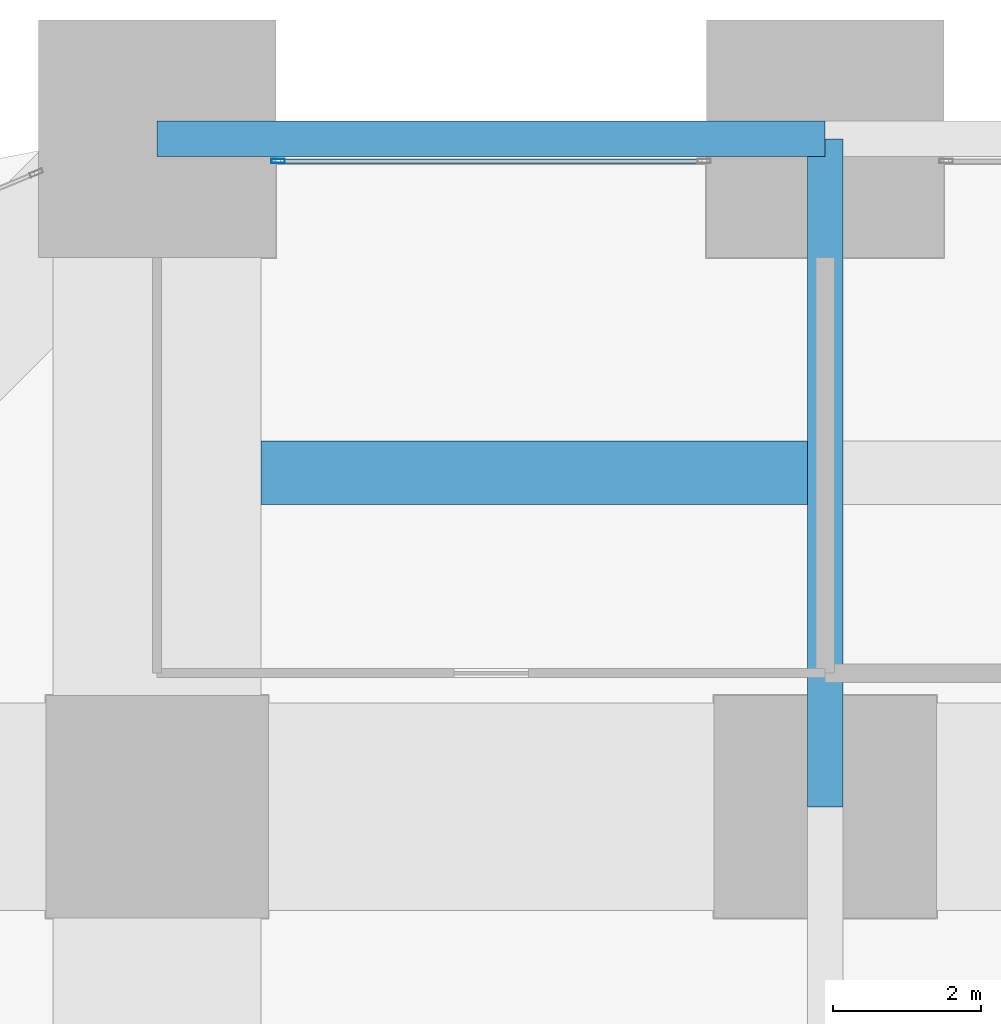
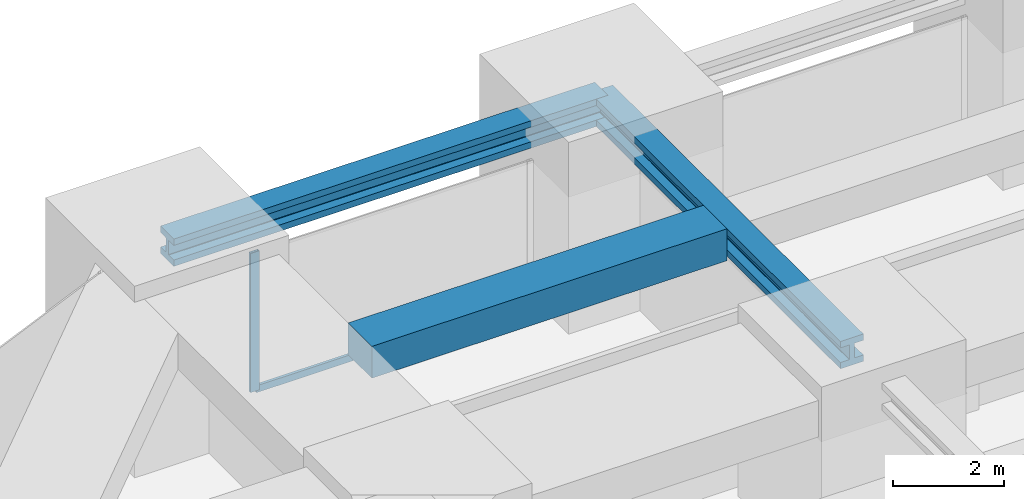
# One storey, part 27 of 42: 3 beams, 2 members, 1 element without a shape of its own.
"""IFC4 building model written with IfcOpenShell, lengths in metres."""

import ifcopenshell
import ifcopenshell.guid

model = None  # the IFC model being written
_history = None  # IfcOwnerHistory: only IFC2X3 demands one
_inside = {}  # id of a spatial element -> (the spatial element, [elements in it])
_under = {}  # id of a project, library or spatial element -> (it, [spatial elements below it])
_declared = {}  # id of a project -> (the project, [libraries it declares])
_typed = {}  # id of a type object -> (the type object, [elements of that type])
_made_of = {}  # id of a material, layer set ... -> (it, [elements and type objects made of it])


def new_model(schema):
    """Start an empty IFC model of exactly this schema.

    Asked for "IFC4X3", IfcOpenShell would pick the latest addendum, in which some entities
    have other attributes; the version numbers below select the first issue.
    IFC2X3 requires an IfcOwnerHistory on every rooted entity: one is made here for all.
    """
    global model, _history
    if schema == "IFC4X3":
        model = ifcopenshell.file(schema_version=(4, 3, 0, 0))
    else:
        model = ifcopenshell.file(schema=schema)
    _inside.clear()
    _under.clear()
    _declared.clear()
    _typed.clear()
    _made_of.clear()
    _history = None
    if model.schema == "IFC2X3":
        org = make("IfcOrganization", Name="unknown")
        user = make(
            "IfcPersonAndOrganization",
            ThePerson=make("IfcPerson", FamilyName="unknown"),
            TheOrganization=org,
        )
        app = make(
            "IfcApplication",
            ApplicationDeveloper=org,
            Version="unknown",
            ApplicationFullName="unknown",
            ApplicationIdentifier="unknown",
        )
        _history = make(
            "IfcOwnerHistory",
            OwningUser=user,
            OwningApplication=app,
            ChangeAction="ADDED",
            CreationDate=0,
        )
    return model


def make(cls, **values):
    """One entity of the class cls with the attributes given. An attribute that is None is left unset."""
    return model.create_entity(
        cls, **{name: value for name, value in values.items() if value is not None}
    )


def rooted(cls, **values):
    """An entity with a GlobalId (a new one), such as an element, a storey or a relation."""
    return make(cls, GlobalId=ifcopenshell.guid.new(), OwnerHistory=_history, **values)


def si_unit(unit_type, name, prefix=None):
    """IfcSIUnit, for example si_unit("LENGTHUNIT", "METRE", prefix="MILLI")."""
    return make("IfcSIUnit", UnitType=unit_type, Prefix=prefix, Name=name)


def assignment(units):
    """IfcUnitAssignment: the units of a project."""
    return None if units is None else make("IfcUnitAssignment", Units=units)


def point(xyz):
    """IfcCartesianPoint."""
    return None if xyz is None else make("IfcCartesianPoint", Coordinates=xyz)


def direction(xyz):
    """IfcDirection."""
    return None if xyz is None else make("IfcDirection", DirectionRatios=xyz)


def frame(location, z_axis=None, x_axis=None):
    """IfcAxis2Placement3D, a coordinate frame: its origin and axes. An axis left out is left unset."""
    return make(
        "IfcAxis2Placement3D",
        Location=point(location),
        Axis=direction(z_axis),
        RefDirection=direction(x_axis),
    )


def frame_2d(location, x_axis=None):
    """IfcAxis2Placement2D, a coordinate frame in the plane: its origin and x axis."""
    return make(
        "IfcAxis2Placement2D", Location=point(location), RefDirection=direction(x_axis)
    )


def origin():
    """The frame at (0, 0, 0) with its axes left unset."""
    return frame((0.0, 0.0, 0.0))


def origin_2d():
    """The frame at (0, 0) in the plane with its x axis left unset."""
    return frame_2d((0.0, 0.0))


def place(relative_to, where):
    """IfcLocalPlacement: puts the frame where relative to a parent placement (None: the world)."""
    return make(
        "IfcLocalPlacement", PlacementRelTo=relative_to, RelativePlacement=where
    )


def context(
    kind, dimensions, precision=None, world=None, true_north=None, identifier=None
):
    """IfcGeometricRepresentationContext, for example the 3D "Model" context."""
    return make(
        "IfcGeometricRepresentationContext",
        ContextIdentifier=identifier,
        ContextType=kind,
        CoordinateSpaceDimension=dimensions,
        Precision=precision,
        WorldCoordinateSystem=world,
        TrueNorth=true_north,
    )


def subcontext(parent, identifier, kind, view, scale=None):
    """IfcGeometricRepresentationSubContext, for example "Body" below "Model"."""
    return make(
        "IfcGeometricRepresentationSubContext",
        ContextIdentifier=identifier,
        ContextType=kind,
        ParentContext=parent,
        TargetScale=scale,
        TargetView=view,
    )


def project(units=None, contexts=None):
    """IfcProject with its units and contexts."""
    return rooted(
        "IfcProject",
        Name="project",
        RepresentationContexts=contexts,
        UnitsInContext=assignment(units),
    )


def spatial(cls, under=None, at=None, **own):
    """A site, building, storey or space (cls), placed at a placement, below another one or the project."""
    s = rooted(cls, ObjectPlacement=at, **own)
    if under is not None:
        _under.setdefault(under.id(), (under, []))[1].append(s)
    return s


def profile(cls, at=None, kind="AREA", **sizes):
    """A parametric profile (cls). Its sizes go by their IFC names, for example OverallWidth=200.0."""
    return make(cls, ProfileType=kind, Position=at, **sizes)


def rectangle(**sizes):
    """IfcRectangleProfileDef."""
    return profile("IfcRectangleProfileDef", **sizes)


def hollow_rectangle(**sizes):
    """IfcRectangleHollowProfileDef."""
    return profile("IfcRectangleHollowProfileDef", **sizes)


def i_section(**sizes):
    """IfcIShapeProfileDef."""
    return profile("IfcIShapeProfileDef", **sizes)


def extrude(swept, where, along, depth):
    """IfcExtrudedAreaSolid: the profile swept, set in the frame where, extruded along a direction by depth."""
    return make(
        "IfcExtrudedAreaSolid",
        SweptArea=swept,
        Position=where,
        ExtrudedDirection=direction(along),
        Depth=depth,
    )


def shape(context_of_items, identifier, shape_type, items):
    """IfcShapeRepresentation: the items that make up one representation, for example the "Body"."""
    return make(
        "IfcShapeRepresentation",
        ContextOfItems=context_of_items,
        RepresentationIdentifier=identifier,
        RepresentationType=shape_type,
        Items=items,
    )


def material(Name=None, Category=None):
    """IfcMaterial."""
    return make("IfcMaterial", Name=Name, Category=Category)


def material_profile(
    of_material, cross_section, Name=None, Category=None, Priority=None
):
    """IfcMaterialProfile: a cross section and its material."""
    return make(
        "IfcMaterialProfile",
        Name=Name,
        Material=of_material,
        Profile=cross_section,
        Priority=Priority,
        Category=Category,
    )


def profile_set(profiles, Name=None, composite=None):
    """IfcMaterialProfileSet."""
    return make(
        "IfcMaterialProfileSet",
        Name=Name,
        MaterialProfiles=profiles,
        CompositeProfile=composite,
    )


def made_of(thing, what):
    """Note that an element or type object is made of a material, layer set ...; save() writes the relation."""
    if what is not None:
        _made_of.setdefault(what.id(), (what, []))[1].append(thing)
    return thing


def type_object(cls, material=None, **own):
    """A type object (cls), such as IfcWallType, which elements share."""
    return made_of(rooted(cls, **own), material)


def element(
    cls,
    number,
    at=None,
    inside=None,
    cuts=None,
    type_object=None,
    material=None,
    context=None,
    identifier="Body",
    shape_type=None,
    held_by="IfcProductDefinitionShape",
    body=None,
    shapes=None,
    **own,
):
    """One element of the class cls, such as IfcWall. Its Tag is "e" and its number.

    at: its placement. inside: the storey or other place that contains it. cuts: it is an
    opening in that element (IfcRelVoidsElement). A single representation is given by context,
    identifier, shape_type and body (its items); several are given by shapes. held_by: the class
    of the entity that holds the representations. save() writes the other relations.
    """
    e = rooted(cls, Tag="e%d" % number, ObjectPlacement=at, **own)
    if body is not None:
        shapes = [shape(context, identifier, shape_type, body)]
    if shapes is not None:
        e.Representation = make(held_by, Representations=shapes)
    if inside is not None:
        _inside.setdefault(inside.id(), (inside, []))[1].append(e)
    if cuts is not None:
        rooted(
            "IfcRelVoidsElement", RelatingBuildingElement=cuts, RelatedOpeningElement=e
        )
    if type_object is not None:
        _typed.setdefault(type_object.id(), (type_object, []))[1].append(e)
    return made_of(e, material)


def aggregate(whole, parts):
    """IfcRelAggregates: a whole, such as a stair, and the parts it consists of."""
    return rooted("IfcRelAggregates", RelatingObject=whole, RelatedObjects=parts)


def save(model, path):
    """Write the relations noted so far, then the file.

    IfcRelAggregates (storeys below a building ...), IfcRelContainedInSpatialStructure (elements
    in a storey), IfcRelDefinesByType, IfcRelAssociatesMaterial and IfcRelDeclares: one each for
    every whole, place, type object, material and project.
    """
    for whole, parts in _under.values():
        aggregate(whole, parts)
    for where, things in _inside.values():
        rooted(
            "IfcRelContainedInSpatialStructure",
            RelatedElements=things,
            RelatingStructure=where,
        )
    for kind, things in _typed.values():
        rooted("IfcRelDefinesByType", RelatedObjects=things, RelatingType=kind)
    for what, things in _made_of.values():
        rooted("IfcRelAssociatesMaterial", RelatedObjects=things, RelatingMaterial=what)
    for by, libraries in _declared.values():
        rooted("IfcRelDeclares", RelatingContext=by, RelatedDefinitions=libraries)
    model.write(path)


model = new_model("IFC4")

# Units and contexts
model_context = context("Model", 3, precision=1e-05, world=origin(), true_north=direction((0.0, 1.0)))
body_context = subcontext(model_context, "Body", "Model", "MODEL_VIEW")
ifc_project = project(units=[si_unit("LENGTHUNIT", "METRE"), si_unit("AREAUNIT", "SQUARE_METRE"), si_unit("VOLUMEUNIT", "CUBIC_METRE"), si_unit("PLANEANGLEUNIT", "RADIAN"), si_unit("MASSUNIT", "GRAM", prefix="KILO")], contexts=[model_context])

# Site, building, storey
site_placement = place(None, origin())
site = spatial("IfcSite", under=ifc_project, at=site_placement, CompositionType="ELEMENT")
building_placement = place(site_placement, origin())
building = spatial("IfcBuilding", under=site, at=building_placement, Name="Zorevar Civic Tower", CompositionType="ELEMENT")
storey_placement = place(building_placement, frame((0.0, 0.0, 75.800048828125)))
storey = spatial("IfcBuildingStorey", under=building, at=storey_placement, Name="L18", CompositionType="ELEMENT", Elevation=75.800048828125)

# Beams
ifc_material_1 = material(Name="Concrete C50/60", Category="concrete")
ifc_material_profile_1 = material_profile(ifc_material_1, rectangle(XDim=0.85009765625, YDim=0.699951171875, at=origin_2d()), Name="RC 850x700")
ifc_profile_set_1 = profile_set([ifc_material_profile_1], Name="Concrete C50/60")
beam_type_1 = type_object("IfcBeamType", Name="Beam RC 850x700", PredefinedType="BEAM", material=ifc_profile_set_1)
beam_1_placement = place(storey_placement, frame((10.39990234375, 49.5, 3.5), z_axis=(1.0, 0.0, 0.0), x_axis=(0.0, 1.0, 0.0)))
element("IfcBeam", 1, at=beam_1_placement, inside=storey, type_object=beam_type_1, Name="Secondary beam L19", PredefinedType="BEAM", context=body_context, shape_type="SweptSolid", body=[
    extrude(rectangle(XDim=0.85009765625, YDim=0.699951171875, at=origin_2d()), origin(), (0.0, 0.0, 1.0), 7.362060546875),
])
ifc_material_2 = material(Name="Steel S460M (HISTAR 460)", Category="steel")
ifc_material_profile_2 = material_profile(ifc_material_2, i_section(OverallWidth=0.47607421875, OverallDepth=0.60009765625, WebThickness=0.10009765625, FlangeThickness=0.139892578125, FilletRadius=0.014892578125, at=origin_2d()), Name="HD 400x1299")
ifc_profile_set_2 = profile_set([ifc_material_profile_2], Name="Steel S460M (HISTAR 460)")
beam_type_2 = type_object("IfcBeamType", Name="Belt chord HD 400x1299", PredefinedType="BEAM", material=ifc_profile_set_2)
beam_2_placement = place(storey_placement, frame((9.0, 54.0, 3.550048828125), z_axis=(1.0, 0.0, 0.0), x_axis=(0.0, 1.0, 0.0)))
element("IfcBeam", 2, at=beam_2_placement, inside=storey, type_object=beam_type_2, Name="Belt chord L19", PredefinedType="BEAM", context=body_context, shape_type="SweptSolid", body=[
    extrude(i_section(OverallWidth=0.47607421875, OverallDepth=0.60009765625, WebThickness=0.10009765625, FlangeThickness=0.139892578125, FilletRadius=0.014892578125, at=origin_2d()), origin(), (0.0, 0.0, 1.0), 9.0),
])

# Curtain wall, members
ifc_material_3 = material(Name="Dark grey solar-control glass in black aluminium frame", Category="aluminium")
curtain_wall_type = type_object("IfcCurtainWallType", Name="Curtain wall CW2 low zone", PredefinedType="NOTDEFINED", material=ifc_material_3)
curtain_wall_placement = place(storey_placement, origin())
curtain_wall = element("IfcCurtainWall", 3, at=curtain_wall_placement, inside=storey, type_object=curtain_wall_type, Name="CW2 L18", PredefinedType="NOTDEFINED")
ifc_material_4 = material(Name="Aluminium, black anodised", Category="aluminium")
ifc_material_profile_3 = material_profile(ifc_material_4, hollow_rectangle(XDim=0.06005859375, YDim=0.179931640625, WallThickness=0.00390625, at=origin_2d()), Name="AL 180x60x4")
ifc_profile_set_3 = profile_set([ifc_material_profile_3], Name="Aluminium, black anodised")
member_type_1 = type_object("IfcMemberType", Name="CW2 mullion AL 180x60x4", PredefinedType="MULLION", material=ifc_profile_set_3)
member_1_placement = place(storey_placement, frame((10.6298828125, 53.699951171875, 0.0), z_axis=(0.0, 0.0, 1.0), x_axis=(0.0, 1.0, 0.0)))
member_1 = element("IfcMember", 4, at=member_1_placement, type_object=member_type_1, Name="CW2 mullion 1", PredefinedType="MULLION", context=body_context, shape_type="SweptSolid", body=[
    extrude(hollow_rectangle(XDim=0.06005859375, YDim=0.179931640625, WallThickness=0.00390625, at=origin_2d()), origin(), (0.0, 0.0, 1.0), 3.050048828125),
])
ifc_material_5 = material(Name="Aluminium, black anodised", Category="aluminium")
ifc_material_profile_4 = material_profile(ifc_material_5, hollow_rectangle(XDim=0.06005859375, YDim=0.14990234375, WallThickness=0.00390625, at=origin_2d()), Name="AL 150x60x4")
ifc_profile_set_4 = profile_set([ifc_material_profile_4], Name="Aluminium, black anodised")
member_type_2 = type_object("IfcMemberType", Name="CW2 transom AL 150x60x4", PredefinedType="USERDEFINED", material=ifc_profile_set_4)
member_2_placement = place(storey_placement, frame((10.659912109375, 53.699951171875, 0.030029296875), z_axis=(1.0, 0.0, 0.0), x_axis=(0.0, 1.0, 0.0)))
member_2 = element("IfcMember", 5, at=member_2_placement, type_object=member_type_2, Name="CW2 sill transom", ObjectType="TRANSOM", PredefinedType="USERDEFINED", context=body_context, shape_type="SweptSolid", body=[
    extrude(hollow_rectangle(XDim=0.06005859375, YDim=0.14990234375, WallThickness=0.00390625, at=origin_2d()), origin(), (0.0, 0.0, 1.0), 5.68017578125),
])
aggregate(curtain_wall, [member_1, member_2])

# Beam
ifc_material_6 = material(Name="Steel S460M (HISTAR 460)", Category="steel")
ifc_material_profile_5 = material_profile(ifc_material_6, i_section(OverallWidth=0.47607421875, OverallDepth=0.60009765625, WebThickness=0.10009765625, FlangeThickness=0.139892578125, FilletRadius=0.014892578125, at=origin_2d()), Name="HD 400x1299")
ifc_profile_set_5 = profile_set([ifc_material_profile_5], Name="Steel S460M (HISTAR 460)")
beam_type_3 = type_object("IfcBeamType", Name="Outrigger chord HD 400x1299", PredefinedType="BEAM", material=ifc_profile_set_5)
beam_3_placement = place(storey_placement, frame((18.0, 45.0, 3.550048828125), z_axis=(0.0, 1.0, 0.0), x_axis=(-1.0, 0.0, 0.0)))
element("IfcBeam", 6, at=beam_3_placement, inside=storey, type_object=beam_type_3, Name="Outrigger chord L19", PredefinedType="BEAM", context=body_context, shape_type="SweptSolid", body=[
    extrude(i_section(OverallWidth=0.47607421875, OverallDepth=0.60009765625, WebThickness=0.10009765625, FlangeThickness=0.139892578125, FilletRadius=0.014892578125, at=origin_2d()), origin(), (0.0, 0.0, 1.0), 9.0),
])

save(model, "model.ifc")
